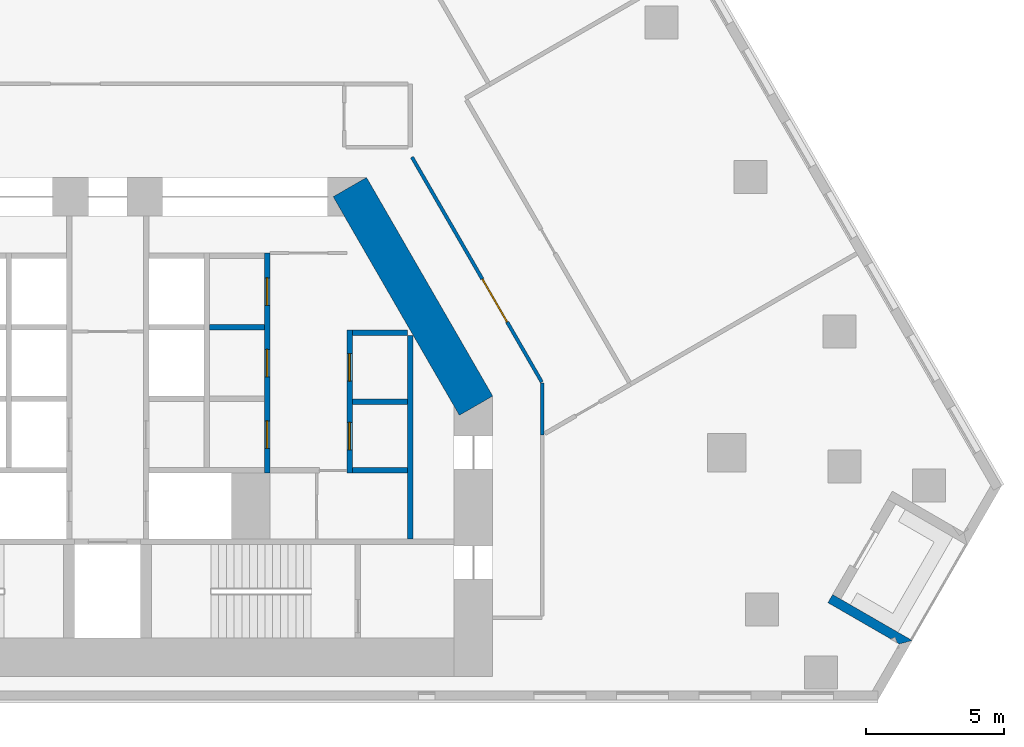
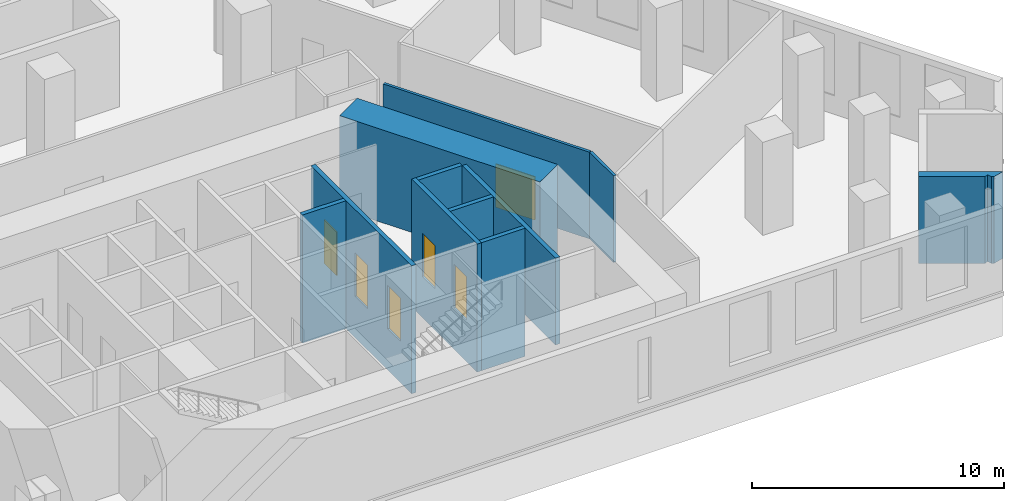
# One storey, part 5 of 13: 11 walls, 6 doors, 6 openings.
"""IFC4 building model written with IfcOpenShell, lengths in metres."""

import ifcopenshell
import ifcopenshell.guid

model = None  # the IFC model being written
_history = None  # IfcOwnerHistory: only IFC2X3 demands one
_inside = {}  # id of a spatial element -> (the spatial element, [elements in it])
_under = {}  # id of a project, library or spatial element -> (it, [spatial elements below it])
_declared = {}  # id of a project -> (the project, [libraries it declares])
_typed = {}  # id of a type object -> (the type object, [elements of that type])
_made_of = {}  # id of a material, layer set ... -> (it, [elements and type objects made of it])


def new_model(schema):
    """Start an empty IFC model of exactly this schema.

    Asked for "IFC4X3", IfcOpenShell would pick the latest addendum, in which some entities
    have other attributes; the version numbers below select the first issue.
    IFC2X3 requires an IfcOwnerHistory on every rooted entity: one is made here for all.
    """
    global model, _history
    if schema == "IFC4X3":
        model = ifcopenshell.file(schema_version=(4, 3, 0, 0))
    else:
        model = ifcopenshell.file(schema=schema)
    _inside.clear()
    _under.clear()
    _declared.clear()
    _typed.clear()
    _made_of.clear()
    _history = None
    if model.schema == "IFC2X3":
        org = make("IfcOrganization", Name="unknown")
        user = make(
            "IfcPersonAndOrganization",
            ThePerson=make("IfcPerson", FamilyName="unknown"),
            TheOrganization=org,
        )
        app = make(
            "IfcApplication",
            ApplicationDeveloper=org,
            Version="unknown",
            ApplicationFullName="unknown",
            ApplicationIdentifier="unknown",
        )
        _history = make(
            "IfcOwnerHistory",
            OwningUser=user,
            OwningApplication=app,
            ChangeAction="ADDED",
            CreationDate=0,
        )
    return model


def make(cls, **values):
    """One entity of the class cls with the attributes given. An attribute that is None is left unset."""
    return model.create_entity(
        cls, **{name: value for name, value in values.items() if value is not None}
    )


def rooted(cls, **values):
    """An entity with a GlobalId (a new one), such as an element, a storey or a relation."""
    return make(cls, GlobalId=ifcopenshell.guid.new(), OwnerHistory=_history, **values)


def si_unit(unit_type, name, prefix=None):
    """IfcSIUnit, for example si_unit("LENGTHUNIT", "METRE", prefix="MILLI")."""
    return make("IfcSIUnit", UnitType=unit_type, Prefix=prefix, Name=name)


def assignment(units):
    """IfcUnitAssignment: the units of a project."""
    return None if units is None else make("IfcUnitAssignment", Units=units)


def point(xyz):
    """IfcCartesianPoint."""
    return None if xyz is None else make("IfcCartesianPoint", Coordinates=xyz)


def direction(xyz):
    """IfcDirection."""
    return None if xyz is None else make("IfcDirection", DirectionRatios=xyz)


def frame(location, z_axis=None, x_axis=None):
    """IfcAxis2Placement3D, a coordinate frame: its origin and axes. An axis left out is left unset."""
    return make(
        "IfcAxis2Placement3D",
        Location=point(location),
        Axis=direction(z_axis),
        RefDirection=direction(x_axis),
    )


def frame_2d(location, x_axis=None):
    """IfcAxis2Placement2D, a coordinate frame in the plane: its origin and x axis."""
    return make(
        "IfcAxis2Placement2D", Location=point(location), RefDirection=direction(x_axis)
    )


def origin():
    """The frame at (0, 0, 0) with its axes left unset."""
    return frame((0.0, 0.0, 0.0))


def place(relative_to, where):
    """IfcLocalPlacement: puts the frame where relative to a parent placement (None: the world)."""
    return make(
        "IfcLocalPlacement", PlacementRelTo=relative_to, RelativePlacement=where
    )


def context(
    kind, dimensions, precision=None, world=None, true_north=None, identifier=None
):
    """IfcGeometricRepresentationContext, for example the 3D "Model" context."""
    return make(
        "IfcGeometricRepresentationContext",
        ContextIdentifier=identifier,
        ContextType=kind,
        CoordinateSpaceDimension=dimensions,
        Precision=precision,
        WorldCoordinateSystem=world,
        TrueNorth=true_north,
    )


def subcontext(parent, identifier, kind, view, scale=None):
    """IfcGeometricRepresentationSubContext, for example "Body" below "Model"."""
    return make(
        "IfcGeometricRepresentationSubContext",
        ContextIdentifier=identifier,
        ContextType=kind,
        ParentContext=parent,
        TargetScale=scale,
        TargetView=view,
    )


def project(units=None, contexts=None):
    """IfcProject with its units and contexts."""
    return rooted(
        "IfcProject",
        Name="project",
        RepresentationContexts=contexts,
        UnitsInContext=assignment(units),
    )


def spatial(cls, under=None, at=None, **own):
    """A site, building, storey or space (cls), placed at a placement, below another one or the project."""
    s = rooted(cls, ObjectPlacement=at, **own)
    if under is not None:
        _under.setdefault(under.id(), (under, []))[1].append(s)
    return s


def polyline(points):
    """IfcPolyline through the points."""
    return make("IfcPolyline", Points=[point(p) for p in points])


def profile(cls, at=None, kind="AREA", **sizes):
    """A parametric profile (cls). Its sizes go by their IFC names, for example OverallWidth=200.0."""
    return make(cls, ProfileType=kind, Position=at, **sizes)


def rectangle(**sizes):
    """IfcRectangleProfileDef."""
    return profile("IfcRectangleProfileDef", **sizes)


def outline(outer, holes=None, kind="AREA"):
    """IfcArbitraryClosedProfileDef: a profile drawn as a closed curve; with holes, ...WithVoids."""
    if holes is None:
        return make("IfcArbitraryClosedProfileDef", ProfileType=kind, OuterCurve=outer)
    return make(
        "IfcArbitraryProfileDefWithVoids",
        ProfileType=kind,
        OuterCurve=outer,
        InnerCurves=holes,
    )


def extrude(swept, where, along, depth):
    """IfcExtrudedAreaSolid: the profile swept, set in the frame where, extruded along a direction by depth."""
    return make(
        "IfcExtrudedAreaSolid",
        SweptArea=swept,
        Position=where,
        ExtrudedDirection=direction(along),
        Depth=depth,
    )


def shape(context_of_items, identifier, shape_type, items):
    """IfcShapeRepresentation: the items that make up one representation, for example the "Body"."""
    return make(
        "IfcShapeRepresentation",
        ContextOfItems=context_of_items,
        RepresentationIdentifier=identifier,
        RepresentationType=shape_type,
        Items=items,
    )


def material(Name=None, Category=None):
    """IfcMaterial."""
    return make("IfcMaterial", Name=Name, Category=Category)


def layer(
    of_material, thickness, ventilated=None, Name=None, Category=None, Priority=None
):
    """IfcMaterialLayer: one layer of a wall or slab, of a material (None: an air gap)."""
    return make(
        "IfcMaterialLayer",
        Material=of_material,
        LayerThickness=thickness,
        IsVentilated=ventilated,
        Name=Name,
        Category=Category,
        Priority=Priority,
    )


def layer_set(layers, Name=None):
    """IfcMaterialLayerSet."""
    return make("IfcMaterialLayerSet", MaterialLayers=layers, LayerSetName=Name)


def made_of(thing, what):
    """Note that an element or type object is made of a material, layer set ...; save() writes the relation."""
    if what is not None:
        _made_of.setdefault(what.id(), (what, []))[1].append(thing)
    return thing


def type_object(cls, material=None, **own):
    """A type object (cls), such as IfcWallType, which elements share."""
    return made_of(rooted(cls, **own), material)


def element(
    cls,
    number,
    at=None,
    inside=None,
    cuts=None,
    type_object=None,
    material=None,
    context=None,
    identifier="Body",
    shape_type=None,
    held_by="IfcProductDefinitionShape",
    body=None,
    shapes=None,
    **own,
):
    """One element of the class cls, such as IfcWall. Its Tag is "e" and its number.

    at: its placement. inside: the storey or other place that contains it. cuts: it is an
    opening in that element (IfcRelVoidsElement). A single representation is given by context,
    identifier, shape_type and body (its items); several are given by shapes. held_by: the class
    of the entity that holds the representations. save() writes the other relations.
    """
    e = rooted(cls, Tag="e%d" % number, ObjectPlacement=at, **own)
    if body is not None:
        shapes = [shape(context, identifier, shape_type, body)]
    if shapes is not None:
        e.Representation = make(held_by, Representations=shapes)
    if inside is not None:
        _inside.setdefault(inside.id(), (inside, []))[1].append(e)
    if cuts is not None:
        rooted(
            "IfcRelVoidsElement", RelatingBuildingElement=cuts, RelatedOpeningElement=e
        )
    if type_object is not None:
        _typed.setdefault(type_object.id(), (type_object, []))[1].append(e)
    return made_of(e, material)


def fill(opening, filler):
    """IfcRelFillsElement: the door or window that sits in an opening."""
    return rooted(
        "IfcRelFillsElement",
        RelatingOpeningElement=opening,
        RelatedBuildingElement=filler,
    )


def aggregate(whole, parts):
    """IfcRelAggregates: a whole, such as a stair, and the parts it consists of."""
    return rooted("IfcRelAggregates", RelatingObject=whole, RelatedObjects=parts)


def save(model, path):
    """Write the relations noted so far, then the file.

    IfcRelAggregates (storeys below a building ...), IfcRelContainedInSpatialStructure (elements
    in a storey), IfcRelDefinesByType, IfcRelAssociatesMaterial and IfcRelDeclares: one each for
    every whole, place, type object, material and project.
    """
    for whole, parts in _under.values():
        aggregate(whole, parts)
    for where, things in _inside.values():
        rooted(
            "IfcRelContainedInSpatialStructure",
            RelatedElements=things,
            RelatingStructure=where,
        )
    for kind, things in _typed.values():
        rooted("IfcRelDefinesByType", RelatedObjects=things, RelatingType=kind)
    for what, things in _made_of.values():
        rooted("IfcRelAssociatesMaterial", RelatedObjects=things, RelatingMaterial=what)
    for by, libraries in _declared.values():
        rooted("IfcRelDeclares", RelatingContext=by, RelatedDefinitions=libraries)
    model.write(path)


model = new_model("IFC4")

# Units and contexts
model_context = context("Model", 3, precision=1e-05, world=origin(), true_north=direction((0.0, 1.0)))
body_context = subcontext(model_context, "Body", "Model", "MODEL_VIEW")
ifc_project = project(units=[si_unit("LENGTHUNIT", "METRE"), si_unit("AREAUNIT", "SQUARE_METRE"), si_unit("VOLUMEUNIT", "CUBIC_METRE"), si_unit("PLANEANGLEUNIT", "RADIAN"), si_unit("MASSUNIT", "GRAM", prefix="KILO")], contexts=[model_context])

# Site, building, storey
site_placement = place(None, origin())
site = spatial("IfcSite", under=ifc_project, at=site_placement, CompositionType="ELEMENT")
building_placement = place(site_placement, origin())
building = spatial("IfcBuilding", under=site, at=building_placement, Name="Fogline Exchange Tower", CompositionType="ELEMENT")
storey_placement = place(building_placement, frame((0.0, 0.0, 25.0)))
storey = spatial("IfcBuildingStorey", under=building, at=storey_placement, Name="L04", CompositionType="ELEMENT", Elevation=25.0)

# Wall
ifc_material_1 = material(Name="Concrete C40", Category="concrete")
ifc_layer_1 = layer(ifc_material_1, 0.199951171875)
ifc_layer_set_1 = layer_set([ifc_layer_1], Name="CW20")
wall_type_1 = type_object("IfcWallType", Name="CW20", PredefinedType="SOLIDWALL", material=ifc_layer_set_1)
wall_1_placement = place(storey_placement, frame((11.0, 5.85009765625, 0.0), z_axis=(0.0, 0.0, 1.0), x_axis=(0.0, 1.0, 0.0)))
element("IfcWall", 1, at=wall_1_placement, inside=storey, type_object=wall_type_1, Name="Service room wall", PredefinedType="SOLIDWALL", context=body_context, shape_type="SweptSolid", body=[
    extrude(rectangle(XDim=7.39990234375, YDim=0.199951171875, at=frame_2d((3.699951171875, 0.0))), origin(), (0.0, 0.0, 1.0), 4.199951171875),
])

# Wall, openings, doors
ifc_layer_2 = layer(ifc_material_1, 0.199951171875)
ifc_layer_set_2 = layer_set([ifc_layer_2], Name="CW20S")
wall_type_2 = type_object("IfcWallType", Name="CW20S", PredefinedType="SOLIDWALL", material=ifc_layer_set_2)
wall_2_placement = place(storey_placement, frame((8.800048828125, 8.25, -2.0), z_axis=(0.0, 0.0, 1.0), x_axis=(0.0, 1.0, 0.0)))
wall_2 = element("IfcWall", 2, at=wall_2_placement, inside=storey, type_object=wall_type_2, Name="Lift shaft wall", PredefinedType="SOLIDWALL", context=body_context, shape_type="SweptSolid", body=[
    extrude(rectangle(XDim=5.199951171875, YDim=0.199951171875, at=frame_2d((2.60009765625, 0.0))), origin(), (0.0, 0.0, 1.0), 6.199951171875),
])
opening_1_placement = place(wall_2_placement, frame((0.85009765625, 0.0, 2.0)))
opening_1 = element("IfcOpeningElement", 3, at=opening_1_placement, cuts=wall_2, Name="Opening T00-C001", PredefinedType="OPENING", context=body_context, shape_type="SweptSolid", body=[
    extrude(rectangle(XDim=1.0, YDim=2.10009765625, at=frame_2d((0.5, 1.050048828125))), frame((0.0, 0.10986328125, 0.0), z_axis=(0.0, -1.0, 0.0), x_axis=(1.0, 0.0, 0.0)), (0.0, 0.0, 1.0), 0.219970703125),
])
opening_2_placement = place(wall_2_placement, frame((3.35009765625, 0.0, 2.0)))
opening_2 = element("IfcOpeningElement", 4, at=opening_2_placement, cuts=wall_2, Name="Opening T00-C002", PredefinedType="OPENING", context=body_context, shape_type="SweptSolid", body=[
    extrude(rectangle(XDim=1.0, YDim=2.10009765625, at=frame_2d((0.5, 1.050048828125))), frame((0.0, 0.10986328125, 0.0), z_axis=(0.0, -1.0, 0.0), x_axis=(1.0, 0.0, 0.0)), (0.0, 0.0, 1.0), 0.219970703125),
])
ifc_material_2 = material(Name="Steel and timber fire door", Category="steel")
door_type_1 = type_object("IfcDoorType", Name="D-RM1", OperationType="SINGLE_SWING_LEFT", PredefinedType="DOOR", material=ifc_material_2)
door_1_placement = place(opening_1_placement, frame((1.0, 0.0, 0.0), z_axis=(0.0, 0.0, 1.0), x_axis=(-1.0, 0.0, 0.0)))
door_1 = element("IfcDoor", 5, at=door_1_placement, inside=storey, type_object=door_type_1, Name="Door to Plant Room", OperationType="SINGLE_SWING_LEFT", OverallHeight=2.10009765625, OverallWidth=1.0, PredefinedType="DOOR", context=body_context, shape_type="SweptSolid", body=[
    extrude(rectangle(XDim=1.0, YDim=2.10009765625, at=frame_2d((0.5, 1.050048828125))), frame((0.0, 0.02490234375, 0.0), z_axis=(0.0, -1.0, 0.0), x_axis=(1.0, 0.0, 0.0)), (0.0, 0.0, 1.0), 0.050048828125),
])
fill(opening_1, door_1)
door_2_placement = place(opening_2_placement, frame((1.0, 0.0, 0.0), z_axis=(0.0, 0.0, 1.0), x_axis=(-1.0, 0.0, 0.0)))
door_2 = element("IfcDoor", 6, at=door_2_placement, inside=storey, type_object=door_type_1, Name="Door to Cable Store", OperationType="SINGLE_SWING_LEFT", OverallHeight=2.10009765625, OverallWidth=1.0, PredefinedType="DOOR", context=body_context, shape_type="SweptSolid", body=[
    extrude(rectangle(XDim=1.0, YDim=2.10009765625, at=frame_2d((0.5, 1.050048828125))), frame((0.0, 0.02490234375, 0.0), z_axis=(0.0, -1.0, 0.0), x_axis=(1.0, 0.0, 0.0)), (0.0, 0.0, 1.0), 0.050048828125),
])
fill(opening_2, door_2)

wall_3_placement = place(storey_placement, frame((5.800048828125, 8.25, -2.0), z_axis=(0.0, 0.0, 1.0), x_axis=(0.0, 1.0, 0.0)))
wall_3 = element("IfcWall", 7, at=wall_3_placement, inside=storey, type_object=wall_type_2, Name="Lift shaft wall", PredefinedType="SOLIDWALL", context=body_context, shape_type="SweptSolid", body=[
    extrude(rectangle(XDim=8.0, YDim=0.199951171875, at=frame_2d((4.0, 0.0))), origin(), (0.0, 0.0, 1.0), 6.199951171875),
])
opening_3_placement = place(wall_3_placement, frame((0.89990234375, 0.0, 2.0)))
opening_3 = element("IfcOpeningElement", 8, at=opening_3_placement, cuts=wall_3, Name="Opening T00-C003", PredefinedType="OPENING", context=body_context, shape_type="SweptSolid", body=[
    extrude(rectangle(XDim=1.0, YDim=2.10009765625, at=frame_2d((0.5, 1.050048828125))), frame((0.0, 0.10986328125, 0.0), z_axis=(0.0, -1.0, 0.0), x_axis=(1.0, 0.0, 0.0)), (0.0, 0.0, 1.0), 0.219970703125),
])
opening_4_placement = place(wall_3_placement, frame((3.5, 0.0, 2.0)))
opening_4 = element("IfcOpeningElement", 9, at=opening_4_placement, cuts=wall_3, Name="Opening T00-C004", PredefinedType="OPENING", context=body_context, shape_type="SweptSolid", body=[
    extrude(rectangle(XDim=1.0, YDim=2.10009765625, at=frame_2d((0.5, 1.050048828125))), frame((0.0, 0.10986328125, 0.0), z_axis=(0.0, -1.0, 0.0), x_axis=(1.0, 0.0, 0.0)), (0.0, 0.0, 1.0), 0.219970703125),
])
opening_5_placement = place(wall_3_placement, frame((6.10009765625, 0.0, 2.0)))
opening_5 = element("IfcOpeningElement", 10, at=opening_5_placement, cuts=wall_3, Name="Opening T00-C005", PredefinedType="OPENING", context=body_context, shape_type="SweptSolid", body=[
    extrude(rectangle(XDim=1.0, YDim=2.10009765625, at=frame_2d((0.5, 1.050048828125))), frame((0.0, 0.10986328125, 0.0), z_axis=(0.0, -1.0, 0.0), x_axis=(1.0, 0.0, 0.0)), (0.0, 0.0, 1.0), 0.219970703125),
])
door_3_placement = place(opening_3_placement, origin())
door_3 = element("IfcDoor", 11, at=door_3_placement, inside=storey, type_object=door_type_1, Name="Door to Server Room", OperationType="SINGLE_SWING_RIGHT", OverallHeight=2.10009765625, OverallWidth=1.0, PredefinedType="DOOR", context=body_context, shape_type="SweptSolid", body=[
    extrude(rectangle(XDim=1.0, YDim=2.10009765625, at=frame_2d((0.5, 1.050048828125))), frame((0.0, 0.02490234375, 0.0), z_axis=(0.0, -1.0, 0.0), x_axis=(1.0, 0.0, 0.0)), (0.0, 0.0, 1.0), 0.050048828125),
])
fill(opening_3, door_3)
door_4_placement = place(opening_4_placement, origin())
door_4 = element("IfcDoor", 12, at=door_4_placement, inside=storey, type_object=door_type_1, Name="Door to Archive Store", OperationType="SINGLE_SWING_LEFT", OverallHeight=2.10009765625, OverallWidth=1.0, PredefinedType="DOOR", context=body_context, shape_type="SweptSolid", body=[
    extrude(rectangle(XDim=1.0, YDim=2.10009765625, at=frame_2d((0.5, 1.050048828125))), frame((0.0, 0.02490234375, 0.0), z_axis=(0.0, -1.0, 0.0), x_axis=(1.0, 0.0, 0.0)), (0.0, 0.0, 1.0), 0.050048828125),
])
fill(opening_4, door_4)
door_5_placement = place(opening_5_placement, origin())
door_5 = element("IfcDoor", 13, at=door_5_placement, inside=storey, type_object=door_type_1, Name="Door to Library Store", OperationType="SINGLE_SWING_LEFT", OverallHeight=2.10009765625, OverallWidth=1.0, PredefinedType="DOOR", context=body_context, shape_type="SweptSolid", body=[
    extrude(rectangle(XDim=1.0, YDim=2.10009765625, at=frame_2d((0.5, 1.050048828125))), frame((0.0, 0.02490234375, 0.0), z_axis=(0.0, -1.0, 0.0), x_axis=(1.0, 0.0, 0.0)), (0.0, 0.0, 1.0), 0.050048828125),
])
fill(opening_5, door_5)

# Walls
for number, where, z_axis, x_axis, name in (
    (14, (8.89990234375, 8.35009765625, -2.0), (0.0, 0.0, 1.0), (1.0, 0.0, 0.0), "Lift shaft wall"),
    (15, (8.89990234375, 10.85009765625, -2.0), (0.0, 0.0, 1.0), (1.0, 0.0, 0.0), "Lift shaft wall"),
    (16, (8.89990234375, 13.35009765625, -2.0), (0.0, 0.0, 1.0), (1.0, 0.0, 0.0), "Lift shaft wall"),
    (17, (3.699951171875, 13.550048828125, -2.0), (0.0, 0.0, 1.0), (1.0, 0.0, 0.0), "Lift shaft wall"),
):
    element("IfcWall", number, at=place(storey_placement, frame(where, z_axis=z_axis, x_axis=x_axis)), inside=storey, type_object=wall_type_2, Name=name, PredefinedType="SOLIDWALL", context=body_context, shape_type="SweptSolid", body=[
        extrude(rectangle(XDim=2.0, YDim=0.199951171875, at=frame_2d((1.0, 0.0))), origin(), (0.0, 0.0, 1.0), 6.199951171875),
    ])
ifc_material_3 = material(Name="Brick masonry", Category="masonry")
ifc_layer_3 = layer(ifc_material_3, 0.340087890625)
ifc_layer_set_3 = layer_set([ifc_layer_3], Name="FW1")
wall_type_3 = type_object("IfcWallType", Name="FW1", PredefinedType="SOLIDWALL", material=ifc_layer_set_3)
wall_4_placement = place(storey_placement, origin())
element("IfcWall", 18, at=wall_4_placement, inside=storey, type_object=wall_type_3, Name="Brick wall L04 SE-s1", PredefinedType="SOLIDWALL", context=body_context, shape_type="SweptSolid", body=[
    extrude(outline(polyline([(26.357177734375, 3.8359375), (26.652099609375, 3.66552734375), (29.251220703125, 2.1650390625), (29.251220703125, 2.164794921875), (28.785400390625, 2.0400390625), (28.69677734375, 2.091064453125), (28.623046875, 2.278076171875), (28.474609375, 2.219482421875), (26.186767578125, 3.540283203125), (26.357177734375, 3.8359375)])), origin(), (0.0, 0.0, 1.0), 4.199951171875),
])

# Wall, opening, door
ifc_material_4 = material(Name="Plasterboard corridor partition with mineral wool, 2 layers each side")
ifc_layer_4 = layer(ifc_material_4, 0.125)
ifc_layer_set_4 = layer_set([ifc_layer_4], Name="PW2")
wall_type_4 = type_object("IfcWallType", Name="PW2", PredefinedType="PARTITIONING", material=ifc_layer_set_4)
wall_5_placement = place(storey_placement, frame((11.0625, 19.740478515625, 0.0), z_axis=(0.0, 0.0, 1.0), x_axis=(0.499995462694, -0.866028023383, 0.0)))
wall_5 = element("IfcWall", 19, at=wall_5_placement, inside=storey, type_object=wall_type_4, Name="wall-L04-W001", PredefinedType="PARTITIONING", context=body_context, shape_type="SweptSolid", body=[
    extrude(rectangle(XDim=9.44384765625, YDim=0.125, at=frame_2d((4.721923828125, 0.0))), origin(), (0.0, 0.0, 1.0), 4.199951171875),
])
opening_6_placement = place(wall_5_placement, frame((5.120849609375, 0.0, 0.0)))
opening_6 = element("IfcOpeningElement", 20, at=opening_6_placement, cuts=wall_5, Name="Opening T00-D001", PredefinedType="OPENING", context=body_context, shape_type="SweptSolid", body=[
    extrude(rectangle(XDim=1.800048828125, YDim=2.10009765625, at=frame_2d((0.89990234375, 1.050048828125))), frame((0.0, 0.072509765625, 0.0), z_axis=(0.0, -1.0, 0.0), x_axis=(1.0, 0.0, 0.0)), (0.0, 0.0, 1.0), 0.14501953125),
])
ifc_material_5 = material(Name="Fire-rated timber door leaves with steel frame", Category="steel")
door_type_2 = type_object("IfcDoorType", Name="D4", OperationType="DOUBLE_DOOR_SINGLE_SWING", PredefinedType="DOOR", material=ifc_material_5)
door_6_placement = place(opening_6_placement, frame((1.800048828125, 0.0, 0.0), z_axis=(0.0, 0.0, 1.0), x_axis=(-1.0, 0.0, 0.0)))
door_6 = element("IfcDoor", 21, at=door_6_placement, inside=storey, type_object=door_type_2, Name="door-L04-D001", OperationType="DOUBLE_DOOR_SINGLE_SWING", OverallHeight=2.10009765625, OverallWidth=1.800048828125, PredefinedType="DOOR", context=body_context, shape_type="SweptSolid", body=[
    extrude(rectangle(XDim=1.800048828125, YDim=2.10009765625, at=frame_2d((0.89990234375, 1.050048828125))), frame((0.0, 0.02490234375, 0.0), z_axis=(0.0, -1.0, 0.0), x_axis=(1.0, 0.0, 0.0)), (0.0, 0.0, 1.0), 0.050048828125),
])
fill(opening_6, door_6)

# Walls
wall_6_placement = place(storey_placement, frame((15.800048828125, 11.534912109375, 0.0), z_axis=(0.0, 0.0, 1.0), x_axis=(0.0, -1.0, 0.0)))
element("IfcWall", 22, at=wall_6_placement, inside=storey, type_object=wall_type_4, Name="wall-L04-W002", PredefinedType="PARTITIONING", context=body_context, shape_type="SweptSolid", body=[
    extrude(rectangle(XDim=1.90185546875, YDim=0.125, at=frame_2d((0.950927734375, 0.0))), origin(), (0.0, 0.0, 1.0), 4.199951171875),
])
ifc_material_6 = material(Name="Concrete C60", Category="concrete")
ifc_layer_5 = layer(ifc_material_6, 1.39990234375)
ifc_layer_set_5 = layer_set([ifc_layer_5], Name="SW01")
wall_type_5 = type_object("IfcWallType", Name="SW01", PredefinedType="SHEAR", material=ifc_layer_set_5)
wall_7_placement = place(storey_placement, frame((13.393798828125, 10.70263671875, 0.0), z_axis=(0.0, 0.0, 1.0), x_axis=(-0.50000187635, 0.866024320471, 0.0)))
element("IfcWall", 23, at=wall_7_placement, inside=storey, type_object=wall_type_5, Name="L04-W903", PredefinedType="SHEAR", context=body_context, shape_type="SweptSolid", body=[
    extrude(rectangle(XDim=9.1767578125, YDim=1.39990234375, at=frame_2d((4.58837890625, 0.0))), origin(), (0.0, 0.0, 1.0), 4.5),
])

save(model, "model.ifc")
